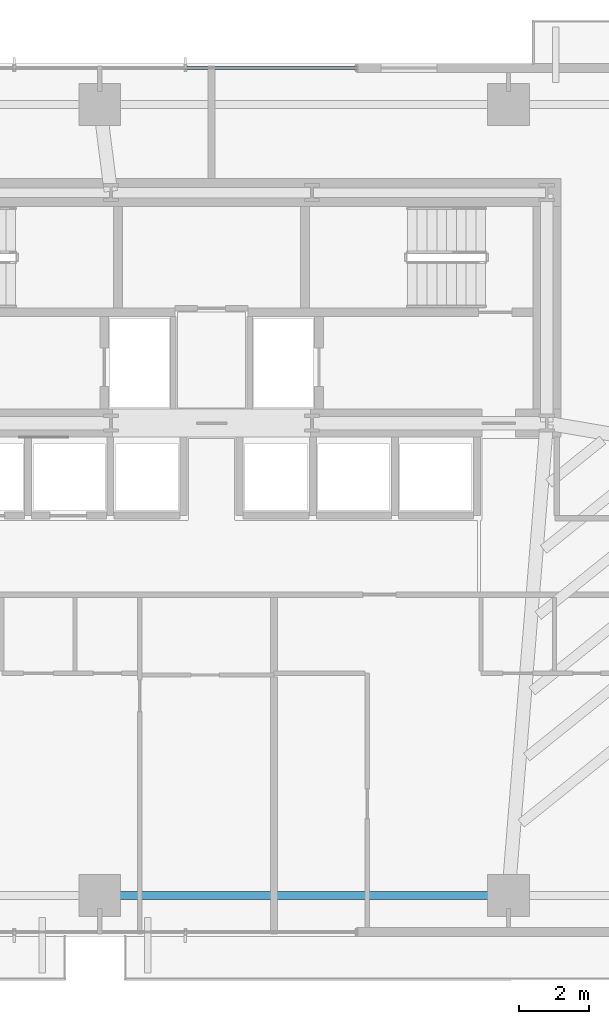
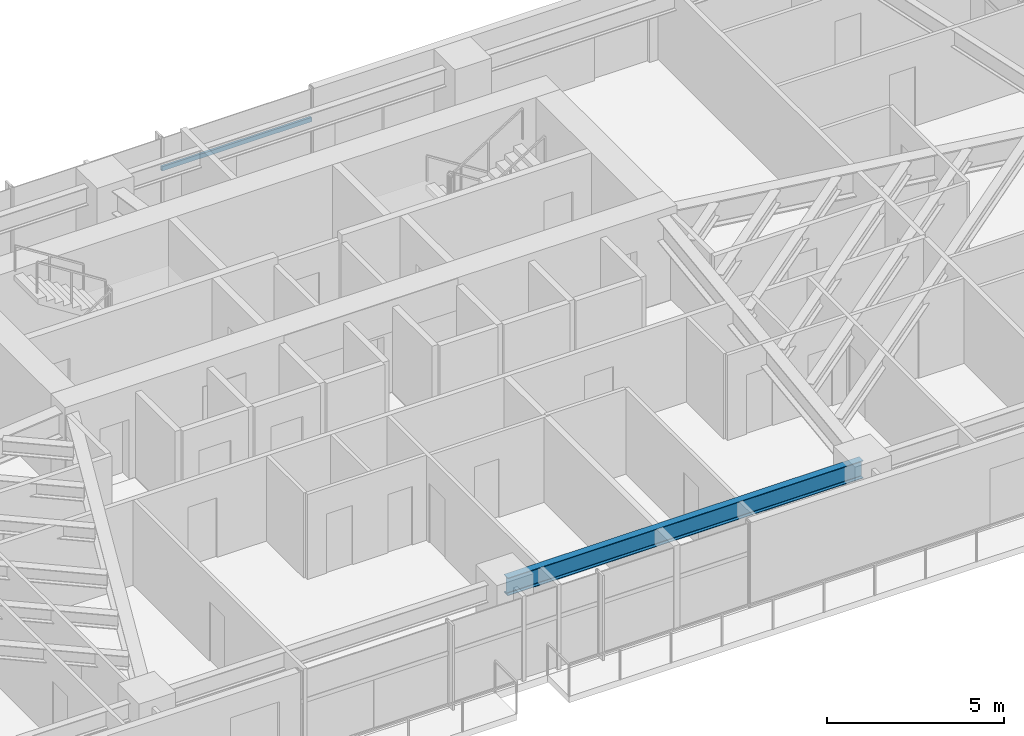
# One storey, part 11 of 25: 1 beam, 1 member, 1 element without a shape of its own.
"""IFC4 building model written with IfcOpenShell, lengths in metres."""

from ifc_helpers import new_model, si_unit, direction, frame, origin, origin_2d, place, context, subcontext, project, spatial, hollow_rectangle, i_section, extrude, source, transform, mapped, material, material_profile, profile_set, type_object, type_shapes, element, aggregate, save


model = new_model("IFC4")

# Units and contexts
model_context = context("Model", 3, precision=1e-05, world=origin(), true_north=direction((0.0, 1.0)))
body_context = subcontext(model_context, "Body", "Model", "MODEL_VIEW")
ifc_project = project(units=[si_unit("LENGTHUNIT", "METRE"), si_unit("AREAUNIT", "SQUARE_METRE"), si_unit("VOLUMEUNIT", "CUBIC_METRE"), si_unit("PLANEANGLEUNIT", "RADIAN"), si_unit("MASSUNIT", "GRAM", prefix="KILO")], contexts=[model_context])

# Site, building, storey
site_placement = place(None, origin())
site = spatial("IfcSite", under=ifc_project, at=site_placement, CompositionType="ELEMENT")
building_placement = place(site_placement, origin())
building = spatial("IfcBuilding", under=site, at=building_placement, Name="Astriad Promenade Condominiums", CompositionType="ELEMENT")
storey_placement = place(building_placement, frame((0.0, 0.0, 39.0)))
storey = spatial("IfcBuildingStorey", under=building, at=storey_placement, Name="L10", CompositionType="ELEMENT", Elevation=39.0)

# Beam
ifc_material_1 = material(Name="Steel ASTM A992 Grade 50", Category="steel")
ifc_material_profile_1 = material_profile(ifc_material_1, i_section(OverallWidth=0.22900390625, OverallDepth=0.612060546875, WebThickness=0.011962890625, FlangeThickness=0.01953125, FilletRadius=0.017822265625, at=origin_2d()), Name="W24X84")
ifc_profile_set_1 = profile_set([ifc_material_profile_1], Name="Steel ASTM A992 Grade 50")
beam_type = type_object("IfcBeamType", Name="STEEL SPANDREL BEAM W24X84", PredefinedType="SPANDREL", material=ifc_profile_set_1)
shared_shape_1 = source(origin(), body_context, "Body", "SweptSolid", [
    extrude(i_section(OverallWidth=0.22900390625, OverallDepth=0.612060546875, WebThickness=0.011962890625, FlangeThickness=0.01953125, FilletRadius=0.017822265625, at=origin_2d()), origin(), (0.0, 0.0, 1.0), 11.619873046875),
])
type_shapes(beam_type, [shared_shape_1])
beam_placement = place(storey_placement, frame((32.840087890625, 3.8798828125, 2.6337890625), z_axis=(1.0, 0.0, 0.0), x_axis=(0.0, 1.0, 0.0)))
element("IfcBeam", 1, at=beam_placement, inside=storey, type_object=beam_type, Name="Perimeter Spandrel Beam SP-S3-L10", PredefinedType="SPANDREL", context=body_context, shape_type="MappedRepresentation", body=[
    mapped(shared_shape_1, transform((0.0, 0.0, 0.0), scale=1.0)),
])

# Curtain wall, member
ifc_material_2 = material(Name="Anodised aluminium Black Dark Glass Unitised", Category="aluminium")
curtain_wall_type = type_object("IfcCurtainWallType", Name="CW-B1-DARK", PredefinedType="USERDEFINED", material=ifc_material_2)
curtain_wall_placement = place(storey_placement, origin())
curtain_wall = element("IfcCurtainWall", 2, at=curtain_wall_placement, inside=storey, type_object=curtain_wall_type, Name="CW-L10-N", ObjectType="UNITISED_CURTAIN_WALL", PredefinedType="USERDEFINED")
ifc_material_3 = material(Name="Anodised aluminium 6063-T6 Black", Category="aluminium")
ifc_material_profile_2 = material_profile(ifc_material_3, hollow_rectangle(XDim=0.074951171875, YDim=0.14990234375, WallThickness=0.004150390625, at=origin_2d()), Name="ALU-TRN-75X150")
ifc_profile_set_2 = profile_set([ifc_material_profile_2], Name="Anodised aluminium 6063-T6 Black")
member_type = type_object("IfcMemberType", Name="TRN-ALU-TRN-75X150", PredefinedType="USERDEFINED", material=ifc_profile_set_2)
shared_shape_2 = source(origin(), body_context, "Body", "SweptSolid", [
    extrude(hollow_rectangle(XDim=0.074951171875, YDim=0.14990234375, WallThickness=0.004150390625, at=origin_2d()), origin(), (0.0, 0.0, 1.0), 4.89990234375),
])
type_shapes(member_type, [shared_shape_2])
member_placement = place(storey_placement, frame((35.25, 27.570068359375, 1.82275390625), z_axis=(1.0, 0.0, 0.0), x_axis=(0.0, 1.0, 0.0)))
member = element("IfcMember", 3, at=member_placement, type_object=member_type, Name="CW-L10-N-TRN-02-0", ObjectType="TRANSOM", PredefinedType="USERDEFINED", context=body_context, shape_type="MappedRepresentation", body=[
    mapped(shared_shape_2, transform((0.0, 0.0, 0.0), scale=1.0)),
])
aggregate(curtain_wall, [member])

save(model, "model.ifc")
